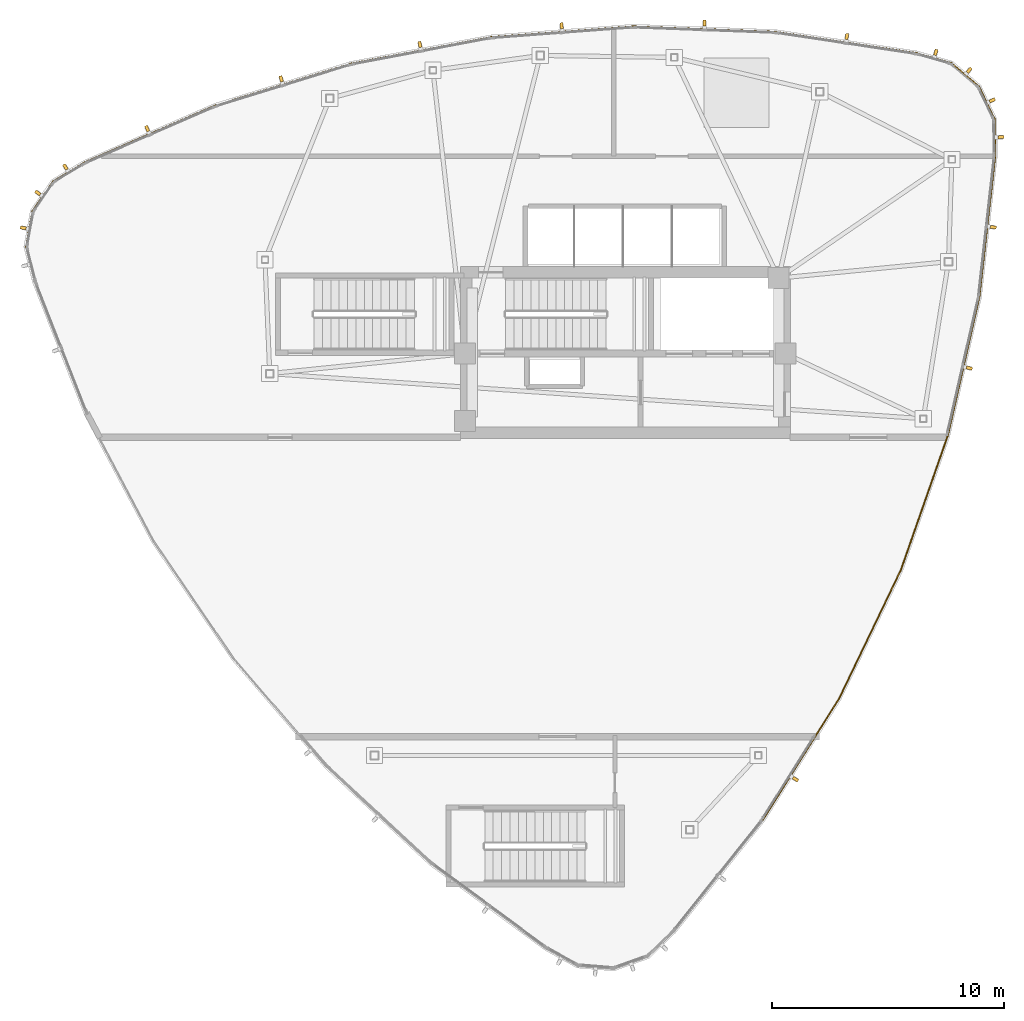
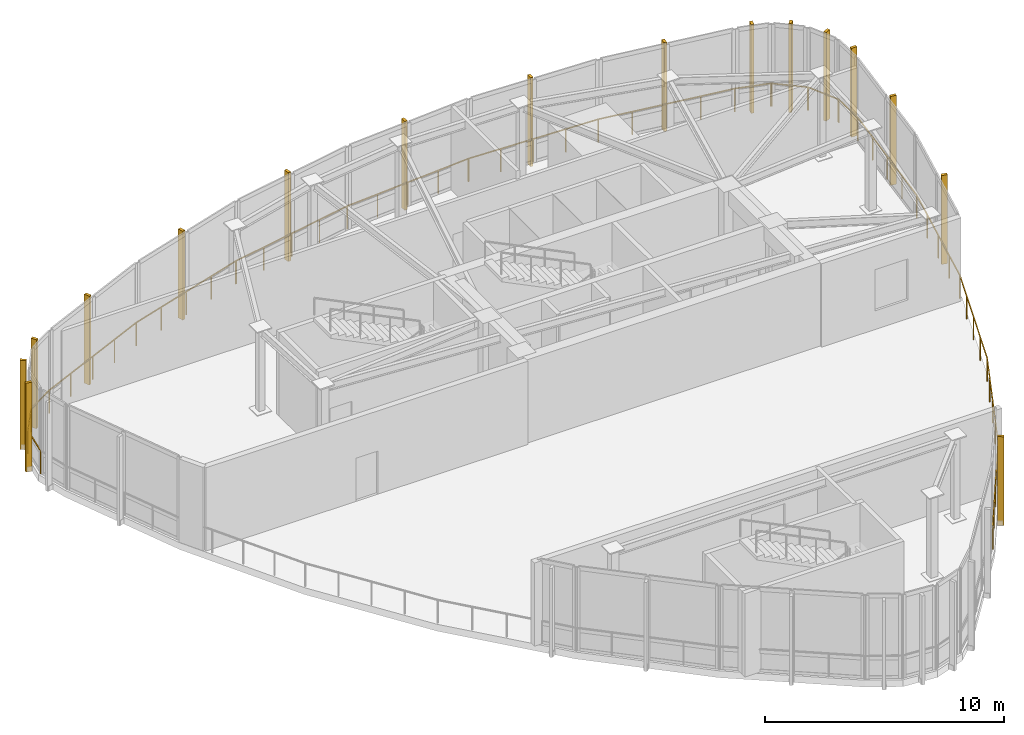
# One storey, part 15 of 16: 18 railings, 16 shading devices.
"""IFC4 building model written with IfcOpenShell, lengths in metres."""

from ifc_helpers import new_model, si_unit, direction, frame, origin, origin_2d, place, context, subcontext, project, spatial, rectangle, extrude, source, transform, mapped, material, type_object, type_shapes, element, save


model = new_model("IFC4")

# Units and contexts
model_context = context("Model", 3, precision=1e-05, world=origin(), true_north=direction((0.0, 1.0)))
body_context = subcontext(model_context, "Body", "Model", "MODEL_VIEW")
ifc_project = project(units=[si_unit("LENGTHUNIT", "METRE"), si_unit("AREAUNIT", "SQUARE_METRE"), si_unit("VOLUMEUNIT", "CUBIC_METRE"), si_unit("PLANEANGLEUNIT", "RADIAN"), si_unit("MASSUNIT", "GRAM", prefix="KILO")], contexts=[model_context])

# Site, building, storey
site_placement = place(None, origin())
site = spatial("IfcSite", under=ifc_project, at=site_placement, CompositionType="ELEMENT")
building_placement = place(site_placement, origin())
building = spatial("IfcBuilding", under=site, at=building_placement, Name="Tavelor Broadcast Tower", CompositionType="ELEMENT")
storey_placement = place(building_placement, frame((0.0, 0.0, 332.10009765625)))
storey = spatial("IfcBuildingStorey", under=building, at=storey_placement, Name="L79", CompositionType="ELEMENT", Elevation=332.10009765625)

# Railings
ifc_material_1 = material(Name="Steel S355", Category="steel")
railing_type = type_object("IfcRailingType", Name="Open Wind Floor Perimeter Safety Guardrail 1200 mm", PredefinedType="GUARDRAIL", material=ifc_material_1)
railing_1_placement = place(storey_placement, frame((32.332763671875, 58.63037109375, 0.0)))
element("IfcRailing", 1, at=railing_1_placement, inside=storey, type_object=railing_type, Name="L79 Crown Sky-Slot Terrace Guardrail #206", PredefinedType="GUARDRAIL", context=body_context, shape_type="SweptSolid", body=[
    extrude(rectangle(XDim=0.048095703125, YDim=0.048095703125, at=origin_2d()), frame((0.0, 0.0, 1.17578125), z_axis=(-0.916507075678, -0.400018474864, 0.0), x_axis=(0.400018474864, -0.916507075678, 0.0)), (0.0, 0.0, 1.0), 6.14599609375),
    extrude(rectangle(XDim=0.0419921875, YDim=0.0419921875, at=origin_2d()), origin(), (0.0, 0.0, 1.0), 1.15185546875),
    extrude(rectangle(XDim=0.0419921875, YDim=0.0419921875, at=origin_2d()), frame((-1.408203125, -0.61474609375, 0.0)), (0.0, 0.0, 1.0), 1.15185546875),
    extrude(rectangle(XDim=0.0419921875, YDim=0.0419921875, at=origin_2d()), frame((-2.81640625, -1.229248046875, 0.0)), (0.0, 0.0, 1.0), 1.15185546875),
    extrude(rectangle(XDim=0.0419921875, YDim=0.0419921875, at=origin_2d()), frame((-4.224609375, -1.84375, 0.0)), (0.0, 0.0, 1.0), 1.15185546875),
    extrude(rectangle(XDim=0.0419921875, YDim=0.0419921875, at=origin_2d()), frame((-5.6328125, -2.45849609375, 0.0)), (0.0, 0.0, 1.0), 1.15185546875),
])
railing_2_placement = place(storey_placement, frame((26.711669921875, 56.177734375, 0.0)))
element("IfcRailing", 2, at=railing_2_placement, inside=storey, type_object=railing_type, Name="L79 Crown Sky-Slot Terrace Guardrail #207", PredefinedType="GUARDRAIL", context=body_context, shape_type="SweptSolid", body=[
    extrude(rectangle(XDim=0.048095703125, YDim=0.048095703125, at=origin_2d()), frame((0.0, 0.0, 1.17578125), z_axis=(-0.856724731972, -0.515773917165, 0.0), x_axis=(0.515773917165, -0.856724731972, 0.0)), (0.0, 0.0, 1.0), 1.600341796875),
    extrude(rectangle(XDim=0.0419921875, YDim=0.0419921875, at=origin_2d()), origin(), (0.0, 0.0, 1.0), 1.15185546875),
    extrude(rectangle(XDim=0.0419921875, YDim=0.0419921875, at=origin_2d()), frame((-1.37109375, -0.825439453125, 0.0)), (0.0, 0.0, 1.0), 1.15185546875),
])
railing_3_placement = place(storey_placement, frame((25.37109375, 55.381103515625, 0.0)))
element("IfcRailing", 3, at=railing_3_placement, inside=storey, type_object=railing_type, Name="L79 Crown Sky-Slot Terrace Guardrail #208", PredefinedType="GUARDRAIL", context=body_context, shape_type="SweptSolid", body=[
    extrude(rectangle(XDim=0.048095703125, YDim=0.048095703125, at=origin_2d()), frame((0.0, 0.0, 1.17578125), z_axis=(-0.568527610792, -0.822664181648, 0.0), x_axis=(0.822664181648, -0.568527610792, 0.0)), (0.0, 0.0, 1.0), 1.6005859375),
    extrude(rectangle(XDim=0.0419921875, YDim=0.0419921875, at=origin_2d()), origin(), (0.0, 0.0, 1.0), 1.15185546875),
    extrude(rectangle(XDim=0.0419921875, YDim=0.0419921875, at=origin_2d()), frame((-0.909912109375, -1.316650390625, 0.0)), (0.0, 0.0, 1.0), 1.15185546875),
])
railing_4_placement = place(storey_placement, frame((24.477294921875, 54.103515625, 0.0)))
element("IfcRailing", 4, at=railing_4_placement, inside=storey, type_object=railing_type, Name="L79 Crown Sky-Slot Terrace Guardrail #209", PredefinedType="GUARDRAIL", context=body_context, shape_type="SweptSolid", body=[
    extrude(rectangle(XDim=0.048095703125, YDim=0.048095703125, at=origin_2d()), frame((0.0, 0.0, 1.17578125), z_axis=(-0.179690783472, -0.983723143133, 0.0), x_axis=(0.983723143133, -0.179690783472, 0.0)), (0.0, 0.0, 1.0), 1.6005859375),
    extrude(rectangle(XDim=0.0419921875, YDim=0.0419921875, at=origin_2d()), origin(), (0.0, 0.0, 1.0), 1.15185546875),
    extrude(rectangle(XDim=0.0419921875, YDim=0.0419921875, at=origin_2d()), frame((-0.28759765625, -1.574462890625, 0.0)), (0.0, 0.0, 1.0), 1.15185546875),
])
railing_5_placement = place(storey_placement, frame((55.918701171875, 27.875244140625, 0.0)))
element("IfcRailing", 5, at=railing_5_placement, inside=storey, type_object=railing_type, Name="L79 Crown Sky-Slot Terrace Guardrail #222", PredefinedType="GUARDRAIL", context=body_context, shape_type="SweptSolid", body=[
    extrude(rectangle(XDim=0.048095703125, YDim=0.048095703125, at=origin_2d()), frame((0.0, 0.0, 1.17578125), z_axis=(0.532104019567, 0.846678990149, 0.0), x_axis=(-0.846678990149, 0.532104019567, 0.0)), (0.0, 0.0, 1.0), 6.14599609375),
    extrude(rectangle(XDim=0.0419921875, YDim=0.0419921875, at=origin_2d()), origin(), (0.0, 0.0, 1.0), 1.15185546875),
    extrude(rectangle(XDim=0.0419921875, YDim=0.0419921875, at=origin_2d()), frame((0.817626953125, 1.30078125, 0.0)), (0.0, 0.0, 1.0), 1.15185546875),
    extrude(rectangle(XDim=0.0419921875, YDim=0.0419921875, at=origin_2d()), frame((1.63525390625, 2.601806640625, 0.0)), (0.0, 0.0, 1.0), 1.15185546875),
    extrude(rectangle(XDim=0.0419921875, YDim=0.0419921875, at=origin_2d()), frame((2.45263671875, 3.90283203125, 0.0)), (0.0, 0.0, 1.0), 1.15185546875),
    extrude(rectangle(XDim=0.0419921875, YDim=0.0419921875, at=origin_2d()), frame((3.270263671875, 5.20361328125, 0.0)), (0.0, 0.0, 1.0), 1.15185546875),
])
railing_6_placement = place(storey_placement, frame((59.18359375, 33.069091796875, 0.0)))
element("IfcRailing", 6, at=railing_6_placement, inside=storey, type_object=railing_type, Name="L79 Crown Sky-Slot Terrace Guardrail #223", PredefinedType="GUARDRAIL", context=body_context, shape_type="SweptSolid", body=[
    extrude(rectangle(XDim=0.048095703125, YDim=0.048095703125, at=origin_2d()), frame((0.0, 0.0, 1.17578125), z_axis=(0.433912362165, 0.900955083209, 0.0), x_axis=(-0.900955083209, 0.433912362165, 0.0)), (0.0, 0.0, 1.0), 6.145751953125),
    extrude(rectangle(XDim=0.0419921875, YDim=0.0419921875, at=origin_2d()), origin(), (0.0, 0.0, 1.0), 1.15185546875),
    extrude(rectangle(XDim=0.0419921875, YDim=0.0419921875, at=origin_2d()), frame((0.666748046875, 1.38427734375, 0.0)), (0.0, 0.0, 1.0), 1.15185546875),
    extrude(rectangle(XDim=0.0419921875, YDim=0.0419921875, at=origin_2d()), frame((1.33349609375, 2.7685546875, 0.0)), (0.0, 0.0, 1.0), 1.15185546875),
    extrude(rectangle(XDim=0.0419921875, YDim=0.0419921875, at=origin_2d()), frame((2.0, 4.15283203125, 0.0)), (0.0, 0.0, 1.0), 1.15185546875),
    extrude(rectangle(XDim=0.0419921875, YDim=0.0419921875, at=origin_2d()), frame((2.666748046875, 5.537109375, 0.0)), (0.0, 0.0, 1.0), 1.15185546875),
])
railing_7_placement = place(storey_placement, frame((61.84619140625, 38.595947265625, 0.0)))
element("IfcRailing", 7, at=railing_7_placement, inside=storey, type_object=railing_type, Name="L79 Crown Sky-Slot Terrace Guardrail #224", PredefinedType="GUARDRAIL", context=body_context, shape_type="SweptSolid", body=[
    extrude(rectangle(XDim=0.048095703125, YDim=0.048095703125, at=origin_2d()), frame((0.0, 0.0, 1.17578125), z_axis=(0.330219485181, 0.943904175013, 0.0), x_axis=(-0.943904175013, 0.330219485181, 0.0)), (0.0, 0.0, 1.0), 6.14599609375),
    extrude(rectangle(XDim=0.0419921875, YDim=0.0419921875, at=origin_2d()), origin(), (0.0, 0.0, 1.0), 1.15185546875),
    extrude(rectangle(XDim=0.0419921875, YDim=0.0419921875, at=origin_2d()), frame((0.50732421875, 1.4501953125, 0.0)), (0.0, 0.0, 1.0), 1.15185546875),
    extrude(rectangle(XDim=0.0419921875, YDim=0.0419921875, at=origin_2d()), frame((1.0146484375, 2.900634765625, 0.0)), (0.0, 0.0, 1.0), 1.15185546875),
    extrude(rectangle(XDim=0.0419921875, YDim=0.0419921875, at=origin_2d()), frame((1.522216796875, 4.35107421875, 0.0)), (0.0, 0.0, 1.0), 1.15185546875),
    extrude(rectangle(XDim=0.0419921875, YDim=0.0419921875, at=origin_2d()), frame((2.029541015625, 5.80126953125, 0.0)), (0.0, 0.0, 1.0), 1.15185546875),
])
railing_8_placement = place(storey_placement, frame((63.872802734375, 44.38623046875, 0.0)))
element("IfcRailing", 8, at=railing_8_placement, inside=storey, type_object=railing_type, Name="L79 Crown Sky-Slot Terrace Guardrail #225", PredefinedType="GUARDRAIL", context=body_context, shape_type="SweptSolid", body=[
    extrude(rectangle(XDim=0.048095703125, YDim=0.048095703125, at=origin_2d()), frame((0.0, 0.0, 1.17578125), z_axis=(0.222407369204, 0.974953825637, 0.0), x_axis=(-0.974953825637, 0.222407369204, 0.0)), (0.0, 0.0, 1.0), 6.146240234375),
    extrude(rectangle(XDim=0.0419921875, YDim=0.0419921875, at=origin_2d()), origin(), (0.0, 0.0, 1.0), 1.15185546875),
    extrude(rectangle(XDim=0.0419921875, YDim=0.0419921875, at=origin_2d()), frame((0.341796875, 1.498046875, 0.0)), (0.0, 0.0, 1.0), 1.15185546875),
    extrude(rectangle(XDim=0.0419921875, YDim=0.0419921875, at=origin_2d()), frame((0.68359375, 2.99609375, 0.0)), (0.0, 0.0, 1.0), 1.15185546875),
    extrude(rectangle(XDim=0.0419921875, YDim=0.0419921875, at=origin_2d()), frame((1.025146484375, 4.494140625, 0.0)), (0.0, 0.0, 1.0), 1.15185546875),
    extrude(rectangle(XDim=0.0419921875, YDim=0.0419921875, at=origin_2d()), frame((1.366943359375, 5.9921875, 0.0)), (0.0, 0.0, 1.0), 1.15185546875),
])
railing_9_placement = place(storey_placement, frame((65.23779296875, 50.3671875, 0.0)))
element("IfcRailing", 9, at=railing_9_placement, inside=storey, type_object=railing_type, Name="L79 Crown Sky-Slot Terrace Guardrail #226", PredefinedType="GUARDRAIL", context=body_context, shape_type="SweptSolid", body=[
    extrude(rectangle(XDim=0.048095703125, YDim=0.048095703125, at=origin_2d()), frame((0.0, 0.0, 1.17578125), z_axis=(0.111817818129, 0.993728723319, 0.0), x_axis=(-0.993728723319, 0.111817818129, 0.0)), (0.0, 0.0, 1.0), 6.146240234375),
    extrude(rectangle(XDim=0.0419921875, YDim=0.0419921875, at=origin_2d()), origin(), (0.0, 0.0, 1.0), 1.15185546875),
    extrude(rectangle(XDim=0.0419921875, YDim=0.0419921875, at=origin_2d()), frame((0.171875, 1.52685546875, 0.0)), (0.0, 0.0, 1.0), 1.15185546875),
    extrude(rectangle(XDim=0.0419921875, YDim=0.0419921875, at=origin_2d()), frame((0.34375, 3.0537109375, 0.0)), (0.0, 0.0, 1.0), 1.15185546875),
    extrude(rectangle(XDim=0.0419921875, YDim=0.0419921875, at=origin_2d()), frame((0.515380859375, 4.580810546875, 0.0)), (0.0, 0.0, 1.0), 1.15185546875),
    extrude(rectangle(XDim=0.0419921875, YDim=0.0419921875, at=origin_2d()), frame((0.687255859375, 6.107666015625, 0.0)), (0.0, 0.0, 1.0), 1.15185546875),
])
railing_10_placement = place(storey_placement, frame((65.924560546875, 56.4619140625, 0.0)))
element("IfcRailing", 10, at=railing_10_placement, inside=storey, type_object=railing_type, Name="L79 Crown Sky-Slot Terrace Guardrail #227", PredefinedType="GUARDRAIL", context=body_context, shape_type="SweptSolid", body=[
    extrude(rectangle(XDim=0.048095703125, YDim=0.048095703125, at=origin_2d()), frame((0.0, 0.0, 1.17578125), z_axis=(-0.018306361145, 0.99983242453, 0.0), x_axis=(-0.99983242453, -0.018306361145, 0.0)), (0.0, 0.0, 1.0), 1.600341796875),
    extrude(rectangle(XDim=0.0419921875, YDim=0.0419921875, at=origin_2d()), origin(), (0.0, 0.0, 1.0), 1.15185546875),
    extrude(rectangle(XDim=0.0419921875, YDim=0.0419921875, at=origin_2d()), frame((-0.029296875, 1.60009765625, 0.0)), (0.0, 0.0, 1.0), 1.15185546875),
])
railing_11_placement = place(storey_placement, frame((65.90478515625, 58.02099609375, 0.0)))
element("IfcRailing", 11, at=railing_11_placement, inside=storey, type_object=railing_type, Name="L79 Crown Sky-Slot Terrace Guardrail #228", PredefinedType="GUARDRAIL", context=body_context, shape_type="SweptSolid", body=[
    extrude(rectangle(XDim=0.048095703125, YDim=0.048095703125, at=origin_2d()), frame((0.0, 0.0, 1.17578125), z_axis=(-0.428197817717, 0.903685027486, 0.0), x_axis=(-0.903685027486, -0.428197817717, 0.0)), (0.0, 0.0, 1.0), 1.600341796875),
    extrude(rectangle(XDim=0.0419921875, YDim=0.0419921875, at=origin_2d()), origin(), (0.0, 0.0, 1.0), 1.15185546875),
    extrude(rectangle(XDim=0.0419921875, YDim=0.0419921875, at=origin_2d()), frame((-0.685302734375, 1.4462890625, 0.0)), (0.0, 0.0, 1.0), 1.15185546875),
])
railing_12_placement = place(storey_placement, frame((65.2451171875, 59.433837890625, 0.0)))
element("IfcRailing", 12, at=railing_12_placement, inside=storey, type_object=railing_type, Name="L79 Crown Sky-Slot Terrace Guardrail #229", PredefinedType="GUARDRAIL", context=body_context, shape_type="SweptSolid", body=[
    extrude(rectangle(XDim=0.048095703125, YDim=0.048095703125, at=origin_2d()), frame((0.0, 0.0, 1.17578125), z_axis=(-0.762059737797, 0.647506722768, 0.0), x_axis=(-0.647506722768, -0.762059737797, 0.0)), (0.0, 0.0, 1.0), 1.6005859375),
    extrude(rectangle(XDim=0.0419921875, YDim=0.0419921875, at=origin_2d()), origin(), (0.0, 0.0, 1.0), 1.15185546875),
    extrude(rectangle(XDim=0.0419921875, YDim=0.0419921875, at=origin_2d()), frame((-1.2197265625, 1.036376953125, 0.0)), (0.0, 0.0, 1.0), 1.15185546875),
])
railing_13_placement = place(storey_placement, frame((64.0625, 60.4501953125, 0.0)))
element("IfcRailing", 13, at=railing_13_placement, inside=storey, type_object=railing_type, Name="L79 Crown Sky-Slot Terrace Guardrail #230", PredefinedType="GUARDRAIL", context=body_context, shape_type="SweptSolid", body=[
    extrude(rectangle(XDim=0.048095703125, YDim=0.048095703125, at=origin_2d()), frame((0.0, 0.0, 1.17578125), z_axis=(-0.961038916638, 0.276413097928, 0.0), x_axis=(-0.276413097928, -0.961038916638, 0.0)), (0.0, 0.0, 1.0), 1.600341796875),
    extrude(rectangle(XDim=0.0419921875, YDim=0.0419921875, at=origin_2d()), origin(), (0.0, 0.0, 1.0), 1.15185546875),
    extrude(rectangle(XDim=0.0419921875, YDim=0.0419921875, at=origin_2d()), frame((-1.5380859375, 0.4423828125, 0.0)), (0.0, 0.0, 1.0), 1.15185546875),
])
railing_14_placement = place(storey_placement, frame((62.537109375, 60.889892578125, 0.0)))
element("IfcRailing", 14, at=railing_14_placement, inside=storey, type_object=railing_type, Name="L79 Crown Sky-Slot Terrace Guardrail #231", PredefinedType="GUARDRAIL", context=body_context, shape_type="SweptSolid", body=[
    extrude(rectangle(XDim=0.048095703125, YDim=0.048095703125, at=origin_2d()), frame((0.0, 0.0, 1.17578125), z_axis=(-0.988806607111, 0.149202861012, 0.0), x_axis=(-0.149202861012, -0.988806607111, 0.0)), (0.0, 0.0, 1.0), 6.14599609375),
    extrude(rectangle(XDim=0.0419921875, YDim=0.0419921875, at=origin_2d()), origin(), (0.0, 0.0, 1.0), 1.15185546875),
    extrude(rectangle(XDim=0.0419921875, YDim=0.0419921875, at=origin_2d()), frame((-1.519287109375, 0.229248046875, 0.0)), (0.0, 0.0, 1.0), 1.15185546875),
    extrude(rectangle(XDim=0.0419921875, YDim=0.0419921875, at=origin_2d()), frame((-3.03857421875, 0.45849609375, 0.0)), (0.0, 0.0, 1.0), 1.15185546875),
    extrude(rectangle(XDim=0.0419921875, YDim=0.0419921875, at=origin_2d()), frame((-4.557861328125, 0.687744140625, 0.0)), (0.0, 0.0, 1.0), 1.15185546875),
    extrude(rectangle(XDim=0.0419921875, YDim=0.0419921875, at=origin_2d()), frame((-6.0771484375, 0.9169921875, 0.0)), (0.0, 0.0, 1.0), 1.15185546875),
])
railing_15_placement = place(storey_placement, frame((56.47119140625, 61.805908203125, 0.0)))
element("IfcRailing", 15, at=railing_15_placement, inside=storey, type_object=railing_type, Name="L79 Crown Sky-Slot Terrace Guardrail #232", PredefinedType="GUARDRAIL", context=body_context, shape_type="SweptSolid", body=[
    extrude(rectangle(XDim=0.048095703125, YDim=0.048095703125, at=origin_2d()), frame((0.0, 0.0, 1.17578125), z_axis=(-0.999298136259, 0.037459776693, 0.0), x_axis=(-0.037459776693, -0.999298136259, 0.0)), (0.0, 0.0, 1.0), 6.14599609375),
    extrude(rectangle(XDim=0.0419921875, YDim=0.0419921875, at=origin_2d()), origin(), (0.0, 0.0, 1.0), 1.15185546875),
    extrude(rectangle(XDim=0.0419921875, YDim=0.0419921875, at=origin_2d()), frame((-1.535400390625, 0.0576171875, 0.0)), (0.0, 0.0, 1.0), 1.15185546875),
    extrude(rectangle(XDim=0.0419921875, YDim=0.0419921875, at=origin_2d()), frame((-3.07080078125, 0.115234375, 0.0)), (0.0, 0.0, 1.0), 1.15185546875),
    extrude(rectangle(XDim=0.0419921875, YDim=0.0419921875, at=origin_2d()), frame((-4.606201171875, 0.172607421875, 0.0)), (0.0, 0.0, 1.0), 1.15185546875),
    extrude(rectangle(XDim=0.0419921875, YDim=0.0419921875, at=origin_2d()), frame((-6.1416015625, 0.230224609375, 0.0)), (0.0, 0.0, 1.0), 1.15185546875),
])
railing_16_placement = place(storey_placement, frame((50.3408203125, 62.036376953125, 0.0)))
element("IfcRailing", 16, at=railing_16_placement, inside=storey, type_object=railing_type, Name="L79 Crown Sky-Slot Terrace Guardrail #233", PredefinedType="GUARDRAIL", context=body_context, shape_type="SweptSolid", body=[
    extrude(rectangle(XDim=0.048095703125, YDim=0.048095703125, at=origin_2d()), frame((0.0, 0.0, 1.17578125), z_axis=(-0.997207598936, -0.074679345363, 0.0), x_axis=(0.074679345363, -0.997207598936, 0.0)), (0.0, 0.0, 1.0), 6.14599609375),
    extrude(rectangle(XDim=0.0419921875, YDim=0.0419921875, at=origin_2d()), origin(), (0.0, 0.0, 1.0), 1.15185546875),
    extrude(rectangle(XDim=0.0419921875, YDim=0.0419921875, at=origin_2d()), frame((-1.5322265625, -0.11474609375, 0.0)), (0.0, 0.0, 1.0), 1.15185546875),
    extrude(rectangle(XDim=0.0419921875, YDim=0.0419921875, at=origin_2d()), frame((-3.064453125, -0.2294921875, 0.0)), (0.0, 0.0, 1.0), 1.15185546875),
    extrude(rectangle(XDim=0.0419921875, YDim=0.0419921875, at=origin_2d()), frame((-4.5966796875, -0.34423828125, 0.0)), (0.0, 0.0, 1.0), 1.15185546875),
    extrude(rectangle(XDim=0.0419921875, YDim=0.0419921875, at=origin_2d()), frame((-6.12890625, -0.458984375, 0.0)), (0.0, 0.0, 1.0), 1.15185546875),
])
railing_17_placement = place(storey_placement, frame((44.222900390625, 61.57861328125, 0.0)))
element("IfcRailing", 17, at=railing_17_placement, inside=storey, type_object=railing_type, Name="L79 Crown Sky-Slot Terrace Guardrail #234", PredefinedType="GUARDRAIL", context=body_context, shape_type="SweptSolid", body=[
    extrude(rectangle(XDim=0.048095703125, YDim=0.048095703125, at=origin_2d()), frame((0.0, 0.0, 1.17578125), z_axis=(-0.982560047221, -0.185945566244, 0.0), x_axis=(0.185945566244, -0.982560047221, 0.0)), (0.0, 0.0, 1.0), 6.14599609375),
    extrude(rectangle(XDim=0.0419921875, YDim=0.0419921875, at=origin_2d()), origin(), (0.0, 0.0, 1.0), 1.15185546875),
    extrude(rectangle(XDim=0.0419921875, YDim=0.0419921875, at=origin_2d()), frame((-1.509765625, -0.28564453125, 0.0)), (0.0, 0.0, 1.0), 1.15185546875),
    extrude(rectangle(XDim=0.0419921875, YDim=0.0419921875, at=origin_2d()), frame((-3.01953125, -0.5712890625, 0.0)), (0.0, 0.0, 1.0), 1.15185546875),
    extrude(rectangle(XDim=0.0419921875, YDim=0.0419921875, at=origin_2d()), frame((-4.529052734375, -0.857177734375, 0.0)), (0.0, 0.0, 1.0), 1.15185546875),
    extrude(rectangle(XDim=0.0419921875, YDim=0.0419921875, at=origin_2d()), frame((-6.038818359375, -1.142822265625, 0.0)), (0.0, 0.0, 1.0), 1.15185546875),
])
railing_18_placement = place(storey_placement, frame((38.195068359375, 60.438720703125, 0.0)))
element("IfcRailing", 18, at=railing_18_placement, inside=storey, type_object=railing_type, Name="L79 Crown Sky-Slot Terrace Guardrail #235", PredefinedType="GUARDRAIL", context=body_context, shape_type="SweptSolid", body=[
    extrude(rectangle(XDim=0.048095703125, YDim=0.048095703125, at=origin_2d()), frame((0.0, 0.0, 1.17578125), z_axis=(-0.955539064546, -0.294864538604, 0.0), x_axis=(0.294864538604, -0.955539064546, 0.0)), (0.0, 0.0, 1.0), 6.14599609375),
    extrude(rectangle(XDim=0.0419921875, YDim=0.0419921875, at=origin_2d()), origin(), (0.0, 0.0, 1.0), 1.15185546875),
    extrude(rectangle(XDim=0.0419921875, YDim=0.0419921875, at=origin_2d()), frame((-1.46826171875, -0.453125, 0.0)), (0.0, 0.0, 1.0), 1.15185546875),
    extrude(rectangle(XDim=0.0419921875, YDim=0.0419921875, at=origin_2d()), frame((-2.9365234375, -0.90625, 0.0)), (0.0, 0.0, 1.0), 1.15185546875),
    extrude(rectangle(XDim=0.0419921875, YDim=0.0419921875, at=origin_2d()), frame((-4.404541015625, -1.359130859375, 0.0)), (0.0, 0.0, 1.0), 1.15185546875),
    extrude(rectangle(XDim=0.0419921875, YDim=0.0419921875, at=origin_2d()), frame((-5.872802734375, -1.812255859375, 0.0)), (0.0, 0.0, 1.0), 1.15185546875),
])

# Shading devices
ifc_material_2 = material(Name="Kiln-Fired Glazed Terracotta", Category="masonry")
shading_device_type = type_object("IfcShadingDeviceType", Name="Extruded Terracotta Corner Baguette 130x260", PredefinedType="JALOUSIE", material=ifc_material_2)
shared_shape = source(origin(), body_context, "Body", "SweptSolid", [
    extrude(rectangle(XDim=0.1298828125, YDim=0.260009765625, at=origin_2d()), origin(), (0.0, 0.0, 1.0), 4.5400390625),
])
type_shapes(shading_device_type, [shared_shape])
for number, where, z_axis, x_axis, name in (
    (19, (64.809814453125, 47.324462890625, -0.31005859375), (0.0, 0.0, 1.0), (0.222399391499, 0.974955645484, 0.0), "L79 Terracotta Baguette Fin 745"),
    (20, (65.83984375, 53.39208984375, -0.31005859375), (0.0, 0.0, 1.0), (0.111815815852, 0.99372894862, 0.0), "L79 Terracotta Baguette Fin 746"),
    (21, (66.169921875, 57.2666015625, -0.31005859375), (0.0, 0.0, 1.0), (-0.018324931396, 0.999832084347, 0.0), "L79 Terracotta Baguette Fin 747"),
    (22, (65.797119140625, 58.85546875, -0.31005859375), (0.0, 0.0, 1.0), (-0.428146661421, 0.903709265369, 0.0), "L79 Terracotta Baguette Fin 748"),
    (23, (64.8037109375, 60.150146484375, -0.31005859375), (0.0, 0.0, 1.0), (-0.762103608804, 0.647455086819, 0.0), "L79 Terracotta Baguette Fin 749"),
    (24, (63.365478515625, 60.92138671875, -0.31005859375), (0.0, 0.0, 1.0), (-0.961020790978, 0.276476109834, 0.0), "L79 Terracotta Baguette Fin 750"),
    (25, (59.537353515625, 61.60546875, -0.31005859375), (0.0, 0.0, 1.0), (-0.988808518489, 0.149190193254, 0.0), "L79 Terracotta Baguette Fin 751"),
    (26, (53.41015625, 62.180908203125, -0.31005859375), (0.0, 0.0, 1.0), (-0.999296035598, 0.037515773182, 0.0), "L79 Terracotta Baguette Fin 752"),
    (27, (47.2568359375, 62.066162109375, -0.31005859375), (0.0, 0.0, 1.0), (-0.997211245286, -0.074630638989, 0.0), "L79 Terracotta Baguette Fin 753"),
    (28, (41.1552734375, 61.2626953125, -0.31005859375), (0.0, 0.0, 1.0), (-0.982547926806, -0.186009600639, 0.0), "L79 Terracotta Baguette Fin 754"),
    (29, (35.181884765625, 59.781005859375, -0.31005859375), (0.0, 0.0, 1.0), (-0.955536052301, -0.294874299918, 0.0), "L79 Terracotta Baguette Fin 755"),
    (30, (29.412353515625, 57.639404296875, -0.31005859375), (0.0, 0.0, 1.0), (-0.916502421907, -0.400029137237, 0.0), "L79 Terracotta Baguette Fin 756"),
    (31, (25.891845703125, 55.98779296875, -0.31005859375), (0.0, 0.0, 1.0), (-0.856717518865, -0.515785898285, 0.0), "L79 Terracotta Baguette Fin 757"),
    (32, (24.702392578125, 54.87060546875, -0.31005859375), (0.0, 0.0, 1.0), (-0.568561850734, -0.822640518021, 0.0), "L79 Terracotta Baguette Fin 758"),
    (33, (24.077880859375, 53.36279296875, -0.31005859375), (0.0, 0.0, 1.0), (-0.179660748593, -0.98372862895, 0.0), "L79 Terracotta Baguette Fin 759"),
    (34, (57.325927734375, 29.6259765625, -0.31005859375), (0.0, 0.0, 1.0), (0.532137630417, 0.846657866138, 0.0), "L79 Terracotta Baguette Fin 770"),
):
    element("IfcShadingDevice", number, at=place(storey_placement, frame(where, z_axis=z_axis, x_axis=x_axis)), inside=storey, type_object=shading_device_type, Name=name, PredefinedType="JALOUSIE", context=body_context, shape_type="MappedRepresentation", body=[
        mapped(shared_shape, transform((0.0, 0.0, 0.0), scale=1.0)),
    ])

save(model, "model.ifc")
